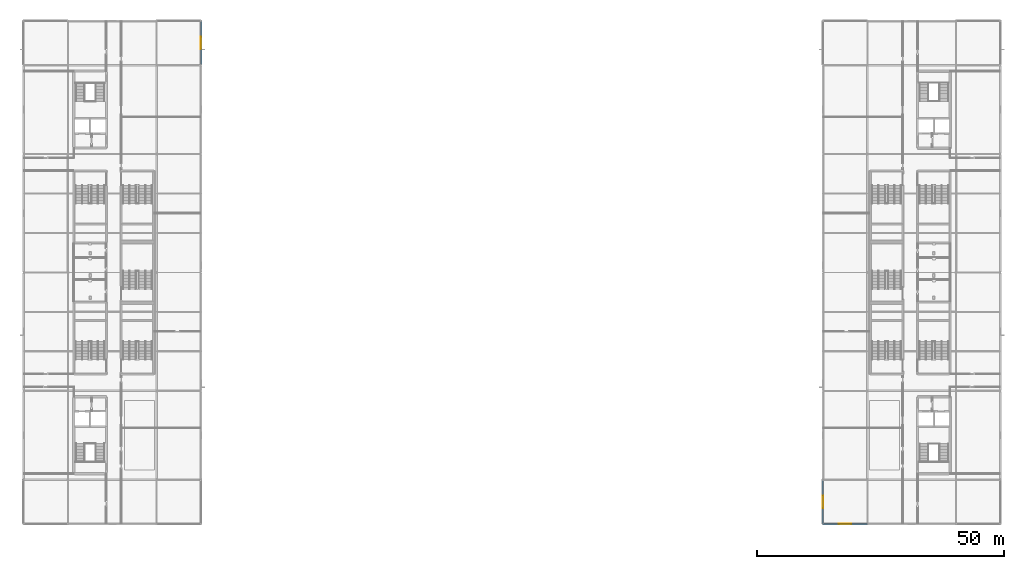
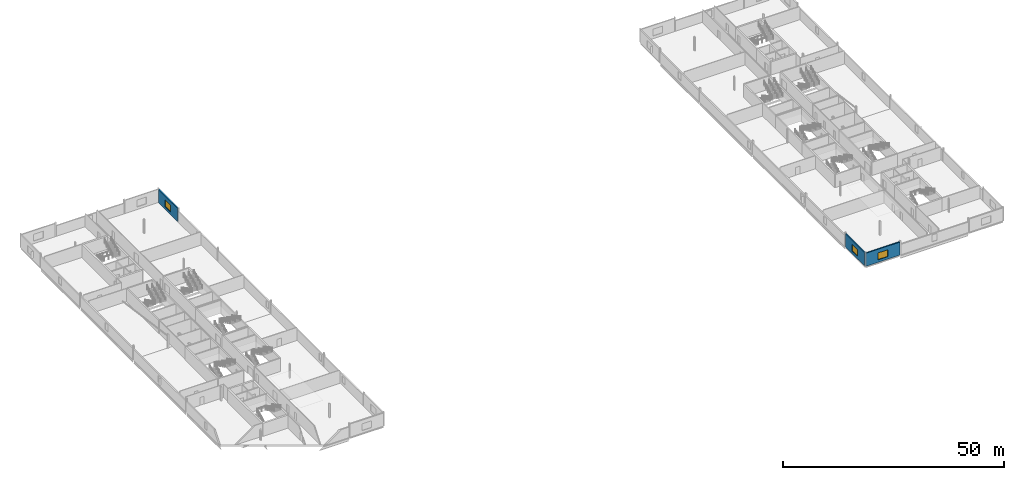
# One storey, part 17 of 31: 3 walls, 3 windows, 3 openings.
"""IFC4 building model written with IfcOpenShell, lengths in metres."""

from ifc_helpers import new_model, si_unit, direction, frame, frame_2d, origin, place, context, subcontext, project, spatial, rectangle, extrude, material, layer, layer_set, type_object, element, fill, save


model = new_model("IFC4")

# Units and contexts
model_context = context("Model", 3, precision=1e-05, world=origin(), true_north=direction((0.0, 1.0)))
body_context = subcontext(model_context, "Body", "Model", "MODEL_VIEW")
ifc_project = project(units=[si_unit("LENGTHUNIT", "METRE"), si_unit("AREAUNIT", "SQUARE_METRE"), si_unit("VOLUMEUNIT", "CUBIC_METRE"), si_unit("PLANEANGLEUNIT", "RADIAN"), si_unit("MASSUNIT", "GRAM", prefix="KILO")], contexts=[model_context])

# Site, building, storey
site_placement = place(None, origin())
site = spatial("IfcSite", under=ifc_project, at=site_placement, CompositionType="ELEMENT")
building_placement = place(site_placement, origin())
building = spatial("IfcBuilding", under=site, at=building_placement, Name="Kisiwana Market Hall", CompositionType="ELEMENT")
storey_placement = place(building_placement, frame((0.0, 0.0, 45.60009765625)))
storey = spatial("IfcBuildingStorey", under=building, at=storey_placement, Name="L10", CompositionType="ELEMENT", Elevation=45.60009765625)

# Wall, opening, window
ifc_material_1 = material(Name="Concrete C40/50 precast", Category="concrete")
ifc_layer = layer(ifc_material_1, 0.31494140625)
ifc_layer_set = layer_set([ifc_layer], Name="WL-EXT-315")
wall_type = type_object("IfcWallType", Name="WL-EXT-315", PredefinedType="STANDARD", material=ifc_layer_set)
wall_1_placement = place(storey_placement, frame((162.010009765625, 9.0, 0.0), z_axis=(0.0, 0.0, 1.0), x_axis=(1.0, 0.0, 0.0)))
wall_1 = element("IfcWall", 1, at=wall_1_placement, inside=storey, type_object=wall_type, Name="Exterior wall W-2674", PredefinedType="STANDARD", context=body_context, shape_type="SweptSolid", body=[
    extrude(rectangle(XDim=8.97998046875, YDim=0.31494140625, at=frame_2d((4.489990234375, 0.0))), origin(), (0.0, 0.0, 1.0), 3.619873046875),
])
opening_1_placement = place(wall_1_placement, frame((3.239990234375, 0.0, 0.699951171875)))
opening_1 = element("IfcOpeningElement", 2, at=opening_1_placement, cuts=wall_1, Name="Opening WN-17", PredefinedType="OPENING", context=body_context, shape_type="SweptSolid", body=[
    extrude(rectangle(XDim=2.5, YDim=1.89990234375, at=frame_2d((1.25, 0.949951171875))), frame((0.0, 0.16943359375, 0.0), z_axis=(0.0, -1.0, 0.0), x_axis=(1.0, 0.0, 0.0)), (0.0, 0.0, 1.0), 0.3388671875),
])
ifc_material_2 = material(Name="Double-glazed solar-control low-E IGU", Category="glass")
window_type = type_object("IfcWindowType", Name="WN-OFFB-2500x1900", PartitioningType="SINGLE_PANEL", PredefinedType="WINDOW", material=ifc_material_2)
window_1_placement = place(opening_1_placement, origin())
window_1 = element("IfcWindow", 3, at=window_1_placement, inside=storey, type_object=window_type, Name="Exterior window WN-316", OverallHeight=1.89990234375, OverallWidth=2.5, PartitioningType="SINGLE_PANEL", PredefinedType="WINDOW", context=body_context, shape_type="SweptSolid", body=[
    extrude(rectangle(XDim=2.5, YDim=1.89990234375, at=frame_2d((1.25, 0.949951171875))), frame((0.0, 0.030029296875, 0.0), z_axis=(0.0, -1.0, 0.0), x_axis=(1.0, 0.0, 0.0)), (0.0, 0.0, 1.0), 0.06005859375),
])
fill(opening_1, window_1)

wall_2_placement = place(storey_placement, frame((36.0, 102.159912109375, 0.0), z_axis=(0.0, 0.0, 1.0), x_axis=(0.0, 1.0, 0.0)))
wall_2 = element("IfcWall", 4, at=wall_2_placement, inside=storey, type_object=wall_type, Name="Exterior wall W-2694", PredefinedType="STANDARD", context=body_context, shape_type="SweptSolid", body=[
    extrude(rectangle(XDim=8.68017578125, YDim=0.31494140625, at=frame_2d((4.340087890625, 0.0))), origin(), (0.0, 0.0, 1.0), 3.619873046875),
])
opening_2_placement = place(wall_2_placement, frame((3.090087890625, 0.0, 0.699951171875)))
opening_2 = element("IfcOpeningElement", 5, at=opening_2_placement, cuts=wall_2, Name="Opening WN-17", PredefinedType="OPENING", context=body_context, shape_type="SweptSolid", body=[
    extrude(rectangle(XDim=2.5, YDim=1.89990234375, at=frame_2d((1.25, 0.949951171875))), frame((0.0, 0.16943359375, 0.0), z_axis=(0.0, -1.0, 0.0), x_axis=(1.0, 0.0, 0.0)), (0.0, 0.0, 1.0), 0.3388671875),
])
window_2_placement = place(opening_2_placement, origin())
window_2 = element("IfcWindow", 6, at=window_2_placement, inside=storey, type_object=window_type, Name="Exterior window WN-325", OverallHeight=1.89990234375, OverallWidth=2.5, PartitioningType="SINGLE_PANEL", PredefinedType="WINDOW", context=body_context, shape_type="SweptSolid", body=[
    extrude(rectangle(XDim=2.5, YDim=1.89990234375, at=frame_2d((1.25, 0.949951171875))), frame((0.0, 0.030029296875, 0.0), z_axis=(0.0, -1.0, 0.0), x_axis=(1.0, 0.0, 0.0)), (0.0, 0.0, 1.0), 0.06005859375),
])
fill(opening_2, window_2)

wall_3_placement = place(storey_placement, frame((162.0, 9.159912109375, 0.0), z_axis=(0.0, 0.0, 1.0), x_axis=(0.0, 1.0, 0.0)))
wall_3 = element("IfcWall", 7, at=wall_3_placement, inside=storey, type_object=wall_type, Name="Exterior wall W-2695", PredefinedType="STANDARD", context=body_context, shape_type="SweptSolid", body=[
    extrude(rectangle(XDim=8.680419921875, YDim=0.31494140625, at=frame_2d((4.34033203125, 0.0))), origin(), (0.0, 0.0, 1.0), 3.619873046875),
])
opening_3_placement = place(wall_3_placement, frame((3.09033203125, 0.0, 0.699951171875)))
opening_3 = element("IfcOpeningElement", 8, at=opening_3_placement, cuts=wall_3, Name="Opening WN-17", PredefinedType="OPENING", context=body_context, shape_type="SweptSolid", body=[
    extrude(rectangle(XDim=2.5, YDim=1.89990234375, at=frame_2d((1.25, 0.949951171875))), frame((0.0, 0.16943359375, 0.0), z_axis=(0.0, -1.0, 0.0), x_axis=(1.0, 0.0, 0.0)), (0.0, 0.0, 1.0), 0.3388671875),
])
window_3_placement = place(opening_3_placement, origin())
window_3 = element("IfcWindow", 9, at=window_3_placement, inside=storey, type_object=window_type, Name="Exterior window WN-326", OverallHeight=1.89990234375, OverallWidth=2.5, PartitioningType="SINGLE_PANEL", PredefinedType="WINDOW", context=body_context, shape_type="SweptSolid", body=[
    extrude(rectangle(XDim=2.5, YDim=1.89990234375, at=frame_2d((1.25, 0.949951171875))), frame((0.0, 0.030029296875, 0.0), z_axis=(0.0, -1.0, 0.0), x_axis=(1.0, 0.0, 0.0)), (0.0, 0.0, 1.0), 0.06005859375),
])
fill(opening_3, window_3)

save(model, "model.ifc")
